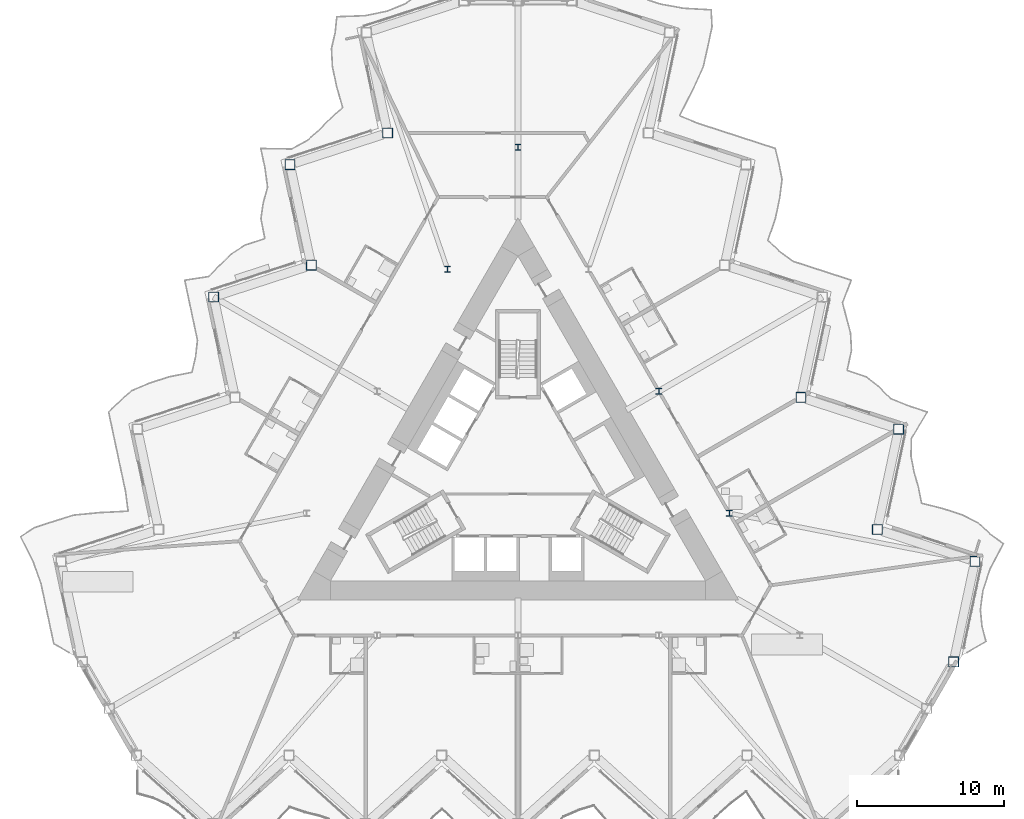
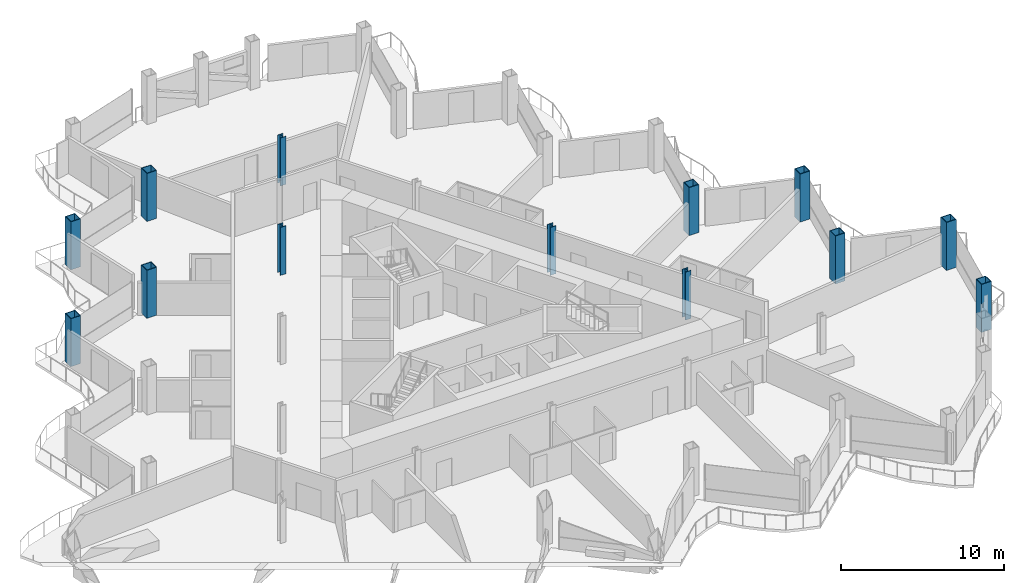
# One storey, part 2 of 24: 13 columns.
"""IFC4 building model written with IfcOpenShell, lengths in metres."""

from ifc_helpers import new_model, si_unit, direction, frame, origin, origin_2d, place, context, subcontext, project, spatial, hollow_rectangle, i_section, extrude, material, material_profile, profile_set, type_object, element, save


model = new_model("IFC4")

# Units and contexts
model_context = context("Model", 3, precision=1e-05, world=origin(), true_north=direction((0.0, 1.0)))
body_context = subcontext(model_context, "Body", "Model", "MODEL_VIEW")
ifc_project = project(units=[si_unit("LENGTHUNIT", "METRE"), si_unit("AREAUNIT", "SQUARE_METRE"), si_unit("VOLUMEUNIT", "CUBIC_METRE"), si_unit("PLANEANGLEUNIT", "RADIAN"), si_unit("MASSUNIT", "GRAM", prefix="KILO")], contexts=[model_context])

# Site, building, storey
site_placement = place(None, origin())
site = spatial("IfcSite", under=ifc_project, at=site_placement, CompositionType="ELEMENT")
building_placement = place(site_placement, origin())
building = spatial("IfcBuilding", under=site, at=building_placement, Name="Cormorant Prow Tower", CompositionType="ELEMENT")
storey_placement = place(building_placement, frame((0.0, 0.0, 231.0)))
storey = spatial("IfcBuildingStorey", under=building, at=storey_placement, Name="L50", CompositionType="ELEMENT", Elevation=231.0)

# Columns
ifc_material_1 = material(Name="Structural steel ASTM A572 Gr 50", Category="steel")
ifc_material_profile_1 = material_profile(ifc_material_1, hollow_rectangle(XDim=0.699951171875, YDim=0.699951171875, WallThickness=0.044921875, at=origin_2d()), Name="Box 700x700x45")
ifc_profile_set_1 = profile_set([ifc_material_profile_1], Name="Structural steel ASTM A572 Gr 50")
column_type_1 = type_object("IfcColumnType", Name="Perimeter box column 700x700x45", PredefinedType="COLUMN", material=ifc_profile_set_1)
for number, where, z_axis, x_axis, name in (
    (1, (29.611572265625, -12.858154296875, 0.0), (0.0, 0.0, 1.0), (1.0, 0.0, 0.0), "Perimeter column C5 at ENE00 L50"),
    (2, (31.063232421875, -6.029052734375, 0.0), (0.0, 0.0, 1.0), (1.0, 0.0, 0.0), "Perimeter column C5 at ENE01 L50"),
    (3, (24.42333984375, -3.871826171875, 0.0), (0.0, 0.0, 1.0), (1.0, 0.0, 0.0), "Perimeter column C5 at ENE02 L50"),
    (4, (25.875, 2.957275390625, 0.0), (0.0, 0.0, 1.0), (1.0, 0.0, 0.0), "Perimeter column C5 at ENE03 L50"),
    (5, (19.235107421875, 5.114501953125, 0.0), (0.0, 0.0, 1.0), (1.0, 0.0, 0.0), "Perimeter column C5 at ENE04 L50"),
    (6, (-8.858642578125, 23.087158203125, 0.0), (0.0, 0.0, 1.0), (1.0, 0.0, 0.0), "Perimeter column C5 at WNW02 L50"),
    (7, (-15.49853515625, 20.9296875, 0.0), (0.0, 0.0, 1.0), (1.0, 0.0, 0.0), "Perimeter column C5 at WNW03 L50"),
    (8, (-14.046875, 14.100830078125, 0.0), (0.0, 0.0, 1.0), (1.0, 0.0, 0.0), "Perimeter column C5 at WNW04 L50"),
    (9, (-20.686767578125, 11.943359375, 0.0), (0.0, 0.0, 1.0), (1.0, 0.0, 0.0), "Perimeter column C5 at WNW05 L50"),
):
    element("IfcColumn", number, at=place(storey_placement, frame(where, z_axis=z_axis, x_axis=x_axis)), inside=storey, type_object=column_type_1, Name=name, PredefinedType="COLUMN", context=body_context, shape_type="SweptSolid", body=[
        extrude(hollow_rectangle(XDim=0.699951171875, YDim=0.699951171875, WallThickness=0.044921875, at=origin_2d()), origin(), (0.0, 0.0, 1.0), 3.60009765625),
    ])
ifc_material_2 = material(Name="Structural steel ASTM A992 Gr 50", Category="steel")
ifc_material_profile_2 = material_profile(ifc_material_2, i_section(OverallWidth=0.39892578125, OverallDepth=0.393310546875, WebThickness=0.022705078125, FlangeThickness=0.03662109375, at=origin_2d()), Name="W14x193")
ifc_profile_set_2 = profile_set([ifc_material_profile_2], Name="Structural steel ASTM A992 Gr 50")
column_type_2 = type_object("IfcColumnType", Name="Ring column W14x193", PredefinedType="COLUMN", material=ifc_profile_set_2)
for number, where, z_axis, x_axis, name in (
    (10, (0.0, 22.12060546875, 0.0), (0.0, 0.0, 1.0), (1.0, 0.0, 0.0), "Ring column 1 L50"),
    (11, (-4.789306640625, 13.8251953125, 0.0), (0.0, 0.0, 1.0), (1.0, 0.0, 0.0), "Ring column 2 L50"),
    (12, (14.36767578125, -2.76513671875, 0.0), (0.0, 0.0, 1.0), (1.0, 0.0, 0.0), "Ring column 10 L50"),
    (13, (9.578369140625, 5.530029296875, 0.0), (0.0, 0.0, 1.0), (1.0, 0.0, 0.0), "Ring column 11 L50"),
):
    element("IfcColumn", number, at=place(storey_placement, frame(where, z_axis=z_axis, x_axis=x_axis)), inside=storey, type_object=column_type_2, Name=name, PredefinedType="COLUMN", context=body_context, shape_type="SweptSolid", body=[
        extrude(i_section(OverallWidth=0.39892578125, OverallDepth=0.393310546875, WebThickness=0.022705078125, FlangeThickness=0.03662109375, at=origin_2d()), origin(), (0.0, 0.0, 1.0), 3.60009765625),
    ])

save(model, "model.ifc")
